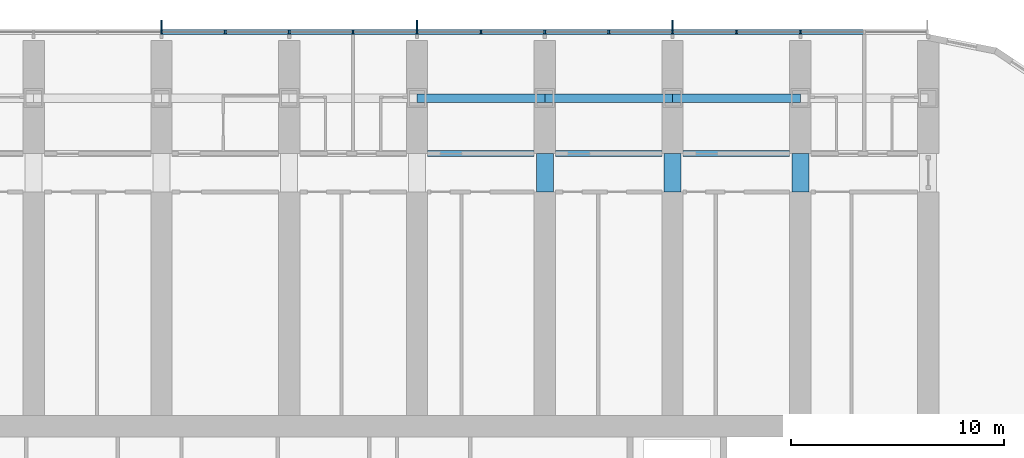
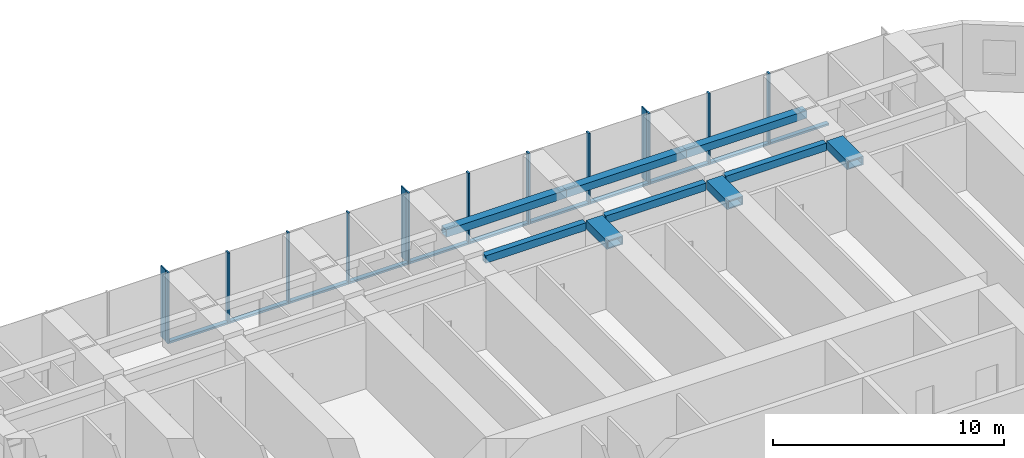
# One storey, part 5 of 23: 25 members, 9 beams, 1 element without a shape of its own.
"""IFC4 building model written with IfcOpenShell, lengths in metres."""

from ifc_helpers import new_model, si_unit, direction, frame, origin, origin_2d, place, context, subcontext, project, spatial, rectangle, hollow_rectangle, extrude, material, material_profile, profile_set, type_object, element, aggregate, save


model = new_model("IFC4")

# Units and contexts
model_context = context("Model", 3, precision=1e-05, world=origin(), true_north=direction((0.0, 1.0)))
body_context = subcontext(model_context, "Body", "Model", "MODEL_VIEW")
ifc_project = project(units=[si_unit("LENGTHUNIT", "METRE"), si_unit("AREAUNIT", "SQUARE_METRE"), si_unit("VOLUMEUNIT", "CUBIC_METRE"), si_unit("PLANEANGLEUNIT", "RADIAN"), si_unit("MASSUNIT", "GRAM", prefix="KILO")], contexts=[model_context])

# Site, building, storey
site_placement = place(None, origin())
site = spatial("IfcSite", under=ifc_project, at=site_placement, CompositionType="ELEMENT")
building_placement = place(site_placement, origin())
building = spatial("IfcBuilding", under=site, at=building_placement, Name="Orbita Commons", CompositionType="ELEMENT")
storey_placement = place(building_placement, frame((0.0, 0.0, 61.449951171875)))
storey = spatial("IfcBuildingStorey", under=building, at=storey_placement, Name="L15", CompositionType="ELEMENT", Elevation=61.449951171875)

# Curtain wall, members
ifc_material_1 = material(Name="Anodised aluminium frame, pale silver", Category="aluminium")
curtain_wall_type = type_object("IfcCurtainWallType", Name="Unitised curtain wall CW-T, vision and spandrel", PredefinedType="NOTDEFINED", material=ifc_material_1)
curtain_wall_placement = place(storey_placement, origin())
curtain_wall = element("IfcCurtainWall", 1, at=curtain_wall_placement, inside=storey, type_object=curtain_wall_type, Name="Curtain wall north L15", PredefinedType="NOTDEFINED")
ifc_material_2 = material(Name="Anodised aluminium, pale silver", Category="aluminium")
ifc_material_profile_1 = material_profile(ifc_material_2, rectangle(XDim=0.080078125, YDim=0.219970703125, at=origin_2d()), Name="AL 80x220")
ifc_profile_set_1 = profile_set([ifc_material_profile_1], Name="Anodised aluminium, pale silver")
member_type_1 = type_object("IfcMemberType", Name="Curtain wall mullion 80x220", PredefinedType="MULLION", material=ifc_profile_set_1)
member_1_placement = place(storey_placement, frame((66.0, 56.7099609375, -0.25), z_axis=(0.0, 0.0, 1.0), x_axis=(-1.0, 0.0, 0.0)))
member_1 = element("IfcMember", 2, at=member_1_placement, type_object=member_type_1, Name="Mullion 3 CW-L15-N", PredefinedType="MULLION", context=body_context, shape_type="SweptSolid", body=[
    extrude(rectangle(XDim=0.080078125, YDim=0.219970703125, at=origin_2d()), origin(), (0.0, 0.0, 1.0), 3.75),
])
member_2_placement = place(storey_placement, frame((63.0, 56.7099609375, -0.25), z_axis=(0.0, 0.0, 1.0), x_axis=(-1.0, 0.0, 0.0)))
member_2 = element("IfcMember", 3, at=member_2_placement, type_object=member_type_1, Name="Mullion 4 CW-L15-N", PredefinedType="MULLION", context=body_context, shape_type="SweptSolid", body=[
    extrude(rectangle(XDim=0.080078125, YDim=0.219970703125, at=origin_2d()), origin(), (0.0, 0.0, 1.0), 3.75),
])
member_3_placement = place(storey_placement, frame((60.0, 56.7099609375, -0.25), z_axis=(0.0, 0.0, 1.0), x_axis=(-1.0, 0.0, 0.0)))
member_3 = element("IfcMember", 4, at=member_3_placement, type_object=member_type_1, Name="Mullion 5 CW-L15-N", PredefinedType="MULLION", context=body_context, shape_type="SweptSolid", body=[
    extrude(rectangle(XDim=0.080078125, YDim=0.219970703125, at=origin_2d()), origin(), (0.0, 0.0, 1.0), 3.75),
])
member_4_placement = place(storey_placement, frame((57.0, 56.7099609375, -0.25), z_axis=(0.0, 0.0, 1.0), x_axis=(-1.0, 0.0, 0.0)))
member_4 = element("IfcMember", 5, at=member_4_placement, type_object=member_type_1, Name="Mullion 6 CW-L15-N", PredefinedType="MULLION", context=body_context, shape_type="SweptSolid", body=[
    extrude(rectangle(XDim=0.080078125, YDim=0.219970703125, at=origin_2d()), origin(), (0.0, 0.0, 1.0), 3.75),
])
member_5_placement = place(storey_placement, frame((54.0, 56.7099609375, -0.25), z_axis=(0.0, 0.0, 1.0), x_axis=(-1.0, 0.0, 0.0)))
member_5 = element("IfcMember", 6, at=member_5_placement, type_object=member_type_1, Name="Mullion 7 CW-L15-N", PredefinedType="MULLION", context=body_context, shape_type="SweptSolid", body=[
    extrude(rectangle(XDim=0.080078125, YDim=0.219970703125, at=origin_2d()), origin(), (0.0, 0.0, 1.0), 3.75),
])
member_6_placement = place(storey_placement, frame((51.0, 56.7099609375, -0.25), z_axis=(0.0, 0.0, 1.0), x_axis=(-1.0, 0.0, 0.0)))
member_6 = element("IfcMember", 7, at=member_6_placement, type_object=member_type_1, Name="Mullion 8 CW-L15-N", PredefinedType="MULLION", context=body_context, shape_type="SweptSolid", body=[
    extrude(rectangle(XDim=0.080078125, YDim=0.219970703125, at=origin_2d()), origin(), (0.0, 0.0, 1.0), 3.75),
])
member_7_placement = place(storey_placement, frame((48.0, 56.7099609375, -0.25), z_axis=(0.0, 0.0, 1.0), x_axis=(-1.0, 0.0, 0.0)))
member_7 = element("IfcMember", 8, at=member_7_placement, type_object=member_type_1, Name="Mullion 9 CW-L15-N", PredefinedType="MULLION", context=body_context, shape_type="SweptSolid", body=[
    extrude(rectangle(XDim=0.080078125, YDim=0.219970703125, at=origin_2d()), origin(), (0.0, 0.0, 1.0), 3.75),
])
member_8_placement = place(storey_placement, frame((45.0, 56.7099609375, -0.25), z_axis=(0.0, 0.0, 1.0), x_axis=(-1.0, 0.0, 0.0)))
member_8 = element("IfcMember", 9, at=member_8_placement, type_object=member_type_1, Name="Mullion 10 CW-L15-N", PredefinedType="MULLION", context=body_context, shape_type="SweptSolid", body=[
    extrude(rectangle(XDim=0.080078125, YDim=0.219970703125, at=origin_2d()), origin(), (0.0, 0.0, 1.0), 3.75),
])
member_9_placement = place(storey_placement, frame((42.0, 56.7099609375, -0.25), z_axis=(0.0, 0.0, 1.0), x_axis=(-1.0, 0.0, 0.0)))
member_9 = element("IfcMember", 10, at=member_9_placement, type_object=member_type_1, Name="Mullion 11 CW-L15-N", PredefinedType="MULLION", context=body_context, shape_type="SweptSolid", body=[
    extrude(rectangle(XDim=0.080078125, YDim=0.219970703125, at=origin_2d()), origin(), (0.0, 0.0, 1.0), 3.75),
])
member_10_placement = place(storey_placement, frame((39.0, 56.7099609375, -0.25), z_axis=(0.0, 0.0, 1.0), x_axis=(-1.0, 0.0, 0.0)))
member_10 = element("IfcMember", 11, at=member_10_placement, type_object=member_type_1, Name="Mullion 12 CW-L15-N", PredefinedType="MULLION", context=body_context, shape_type="SweptSolid", body=[
    extrude(rectangle(XDim=0.080078125, YDim=0.219970703125, at=origin_2d()), origin(), (0.0, 0.0, 1.0), 3.75),
])
member_11_placement = place(storey_placement, frame((36.0, 56.7099609375, -0.25), z_axis=(0.0, 0.0, 1.0), x_axis=(-1.0, 0.0, 0.0)))
member_11 = element("IfcMember", 12, at=member_11_placement, type_object=member_type_1, Name="Mullion 13 CW-L15-N", PredefinedType="MULLION", context=body_context, shape_type="SweptSolid", body=[
    extrude(rectangle(XDim=0.080078125, YDim=0.219970703125, at=origin_2d()), origin(), (0.0, 0.0, 1.0), 3.75),
])
ifc_material_3 = material(Name="Anodised aluminium, pale silver", Category="aluminium")
ifc_material_profile_2 = material_profile(ifc_material_3, rectangle(XDim=0.219970703125, YDim=0.10009765625, at=origin_2d()), Name="AL 220x100")
ifc_profile_set_2 = profile_set([ifc_material_profile_2], Name="Anodised aluminium, pale silver")
member_type_2 = type_object("IfcMemberType", Name="Curtain wall stack transom 220x100", PredefinedType="USERDEFINED", material=ifc_profile_set_2)
member_12_placement = place(storey_placement, frame((68.9599609375, 56.7099609375, -0.199951171875), z_axis=(-1.0, 0.0, 0.0), x_axis=(0.0, -1.0, 0.0)))
member_12 = element("IfcMember", 13, at=member_12_placement, type_object=member_type_2, Name="Transom 2.1 CW-L15-N", ObjectType="TRANSOM", PredefinedType="USERDEFINED", context=body_context, shape_type="SweptSolid", body=[
    extrude(rectangle(XDim=0.219970703125, YDim=0.10009765625, at=origin_2d()), origin(), (0.0, 0.0, 1.0), 2.919921875),
])
member_13_placement = place(storey_placement, frame((65.9599609375, 56.7099609375, -0.199951171875), z_axis=(-1.0, 0.0, 0.0), x_axis=(0.0, -1.0, 0.0)))
member_13 = element("IfcMember", 14, at=member_13_placement, type_object=member_type_2, Name="Transom 3.1 CW-L15-N", ObjectType="TRANSOM", PredefinedType="USERDEFINED", context=body_context, shape_type="SweptSolid", body=[
    extrude(rectangle(XDim=0.219970703125, YDim=0.10009765625, at=origin_2d()), origin(), (0.0, 0.0, 1.0), 2.919921875),
])
member_14_placement = place(storey_placement, frame((62.9599609375, 56.7099609375, -0.199951171875), z_axis=(-1.0, 0.0, 0.0), x_axis=(0.0, -1.0, 0.0)))
member_14 = element("IfcMember", 15, at=member_14_placement, type_object=member_type_2, Name="Transom 4.1 CW-L15-N", ObjectType="TRANSOM", PredefinedType="USERDEFINED", context=body_context, shape_type="SweptSolid", body=[
    extrude(rectangle(XDim=0.219970703125, YDim=0.10009765625, at=origin_2d()), origin(), (0.0, 0.0, 1.0), 2.919921875),
])
member_15_placement = place(storey_placement, frame((59.9599609375, 56.7099609375, -0.199951171875), z_axis=(-1.0, 0.0, 0.0), x_axis=(0.0, -1.0, 0.0)))
member_15 = element("IfcMember", 16, at=member_15_placement, type_object=member_type_2, Name="Transom 5.1 CW-L15-N", ObjectType="TRANSOM", PredefinedType="USERDEFINED", context=body_context, shape_type="SweptSolid", body=[
    extrude(rectangle(XDim=0.219970703125, YDim=0.10009765625, at=origin_2d()), origin(), (0.0, 0.0, 1.0), 2.919921875),
])
member_16_placement = place(storey_placement, frame((56.9599609375, 56.7099609375, -0.199951171875), z_axis=(-1.0, 0.0, 0.0), x_axis=(0.0, -1.0, 0.0)))
member_16 = element("IfcMember", 17, at=member_16_placement, type_object=member_type_2, Name="Transom 6.1 CW-L15-N", ObjectType="TRANSOM", PredefinedType="USERDEFINED", context=body_context, shape_type="SweptSolid", body=[
    extrude(rectangle(XDim=0.219970703125, YDim=0.10009765625, at=origin_2d()), origin(), (0.0, 0.0, 1.0), 2.919921875),
])
member_17_placement = place(storey_placement, frame((53.9599609375, 56.7099609375, -0.199951171875), z_axis=(-1.0, 0.0, 0.0), x_axis=(0.0, -1.0, 0.0)))
member_17 = element("IfcMember", 18, at=member_17_placement, type_object=member_type_2, Name="Transom 7.1 CW-L15-N", ObjectType="TRANSOM", PredefinedType="USERDEFINED", context=body_context, shape_type="SweptSolid", body=[
    extrude(rectangle(XDim=0.219970703125, YDim=0.10009765625, at=origin_2d()), origin(), (0.0, 0.0, 1.0), 2.919921875),
])
member_18_placement = place(storey_placement, frame((50.9599609375, 56.7099609375, -0.199951171875), z_axis=(-1.0, 0.0, 0.0), x_axis=(0.0, -1.0, 0.0)))
member_18 = element("IfcMember", 19, at=member_18_placement, type_object=member_type_2, Name="Transom 8.1 CW-L15-N", ObjectType="TRANSOM", PredefinedType="USERDEFINED", context=body_context, shape_type="SweptSolid", body=[
    extrude(rectangle(XDim=0.219970703125, YDim=0.10009765625, at=origin_2d()), origin(), (0.0, 0.0, 1.0), 2.919921875),
])
member_19_placement = place(storey_placement, frame((47.9599609375, 56.7099609375, -0.199951171875), z_axis=(-1.0, 0.0, 0.0), x_axis=(0.0, -1.0, 0.0)))
member_19 = element("IfcMember", 20, at=member_19_placement, type_object=member_type_2, Name="Transom 9.1 CW-L15-N", ObjectType="TRANSOM", PredefinedType="USERDEFINED", context=body_context, shape_type="SweptSolid", body=[
    extrude(rectangle(XDim=0.219970703125, YDim=0.10009765625, at=origin_2d()), origin(), (0.0, 0.0, 1.0), 2.919921875),
])
member_20_placement = place(storey_placement, frame((44.9599609375, 56.7099609375, -0.199951171875), z_axis=(-1.0, 0.0, 0.0), x_axis=(0.0, -1.0, 0.0)))
member_20 = element("IfcMember", 21, at=member_20_placement, type_object=member_type_2, Name="Transom 10.1 CW-L15-N", ObjectType="TRANSOM", PredefinedType="USERDEFINED", context=body_context, shape_type="SweptSolid", body=[
    extrude(rectangle(XDim=0.219970703125, YDim=0.10009765625, at=origin_2d()), origin(), (0.0, 0.0, 1.0), 2.919921875),
])
member_21_placement = place(storey_placement, frame((41.9599609375, 56.7099609375, -0.199951171875), z_axis=(-1.0, 0.0, 0.0), x_axis=(0.0, -1.0, 0.0)))
member_21 = element("IfcMember", 22, at=member_21_placement, type_object=member_type_2, Name="Transom 11.1 CW-L15-N", ObjectType="TRANSOM", PredefinedType="USERDEFINED", context=body_context, shape_type="SweptSolid", body=[
    extrude(rectangle(XDim=0.219970703125, YDim=0.10009765625, at=origin_2d()), origin(), (0.0, 0.0, 1.0), 2.919921875),
])
member_22_placement = place(storey_placement, frame((38.9599609375, 56.7099609375, -0.199951171875), z_axis=(-1.0, 0.0, 0.0), x_axis=(0.0, -1.0, 0.0)))
member_22 = element("IfcMember", 23, at=member_22_placement, type_object=member_type_2, Name="Transom 12.1 CW-L15-N", ObjectType="TRANSOM", PredefinedType="USERDEFINED", context=body_context, shape_type="SweptSolid", body=[
    extrude(rectangle(XDim=0.219970703125, YDim=0.10009765625, at=origin_2d()), origin(), (0.0, 0.0, 1.0), 2.919921875),
])

# Beams
ifc_material_4 = material(Name="Steel ASTM A572 Gr 50 welded plate", Category="steel")
ifc_material_profile_3 = material_profile(ifc_material_4, hollow_rectangle(XDim=0.300048828125, YDim=0.39990234375, WallThickness=0.0400390625, at=origin_2d()), Name="BOX 400x300x40")
ifc_profile_set_3 = profile_set([ifc_material_profile_3], Name="Steel ASTM A572 Gr 50 welded plate")
beam_type_1 = type_object("IfcBeamType", Name="Steel corridor link BOX 400x300x40", PredefinedType="BEAM", material=ifc_profile_set_3)
for number, where, z_axis, x_axis, name in (
    (24, (48.5, 51.0, 3.300048828125), (1.0, 0.0, 0.0), (0.0, 1.0, 0.0), "Corridor beam NB 9-10 L15"),
    (25, (54.5, 51.0, 3.300048828125), (1.0, 0.0, 0.0), (0.0, 1.0, 0.0), "Corridor beam NB 10-11 L15"),
    (26, (60.5, 51.0, 3.300048828125), (1.0, 0.0, 0.0), (0.0, 1.0, 0.0), "Corridor beam NB 11-12 L15"),
):
    element("IfcBeam", number, at=place(storey_placement, frame(where, z_axis=z_axis, x_axis=x_axis)), inside=storey, type_object=beam_type_1, Name=name, PredefinedType="BEAM", context=body_context, shape_type="SweptSolid", body=[
        extrude(hollow_rectangle(XDim=0.300048828125, YDim=0.39990234375, WallThickness=0.0400390625, at=origin_2d()), origin(), (0.0, 0.0, 1.0), 5.0),
    ])
ifc_material_5 = material(Name="Steel ASTM A572 Gr 50 welded plate", Category="steel")
ifc_material_profile_4 = material_profile(ifc_material_5, hollow_rectangle(XDim=0.800048828125, YDim=0.449951171875, WallThickness=0.06005859375, at=origin_2d()), Name="BOX 450x800x60")
ifc_profile_set_4 = profile_set([ifc_material_profile_4], Name="Steel ASTM A572 Gr 50 welded plate")
beam_type_2 = type_object("IfcBeamType", Name="Steel coupling link BOX 450x800x60", PredefinedType="LINTEL", material=ifc_profile_set_4)
for number, where, z_axis, x_axis, name in (
    (27, (54.0, 49.199951171875, 3.275146484375), (0.0, 1.0, 0.0), (-1.0, 0.0, 0.0), "Coupling beam 10 north L15"),
    (28, (60.0, 49.199951171875, 3.275146484375), (0.0, 1.0, 0.0), (-1.0, 0.0, 0.0), "Coupling beam 11 north L15"),
    (29, (66.0, 49.199951171875, 3.275146484375), (0.0, 1.0, 0.0), (-1.0, 0.0, 0.0), "Coupling beam 12 north L15"),
):
    element("IfcBeam", number, at=place(storey_placement, frame(where, z_axis=z_axis, x_axis=x_axis)), inside=storey, type_object=beam_type_2, Name=name, PredefinedType="LINTEL", context=body_context, shape_type="SweptSolid", body=[
        extrude(hollow_rectangle(XDim=0.800048828125, YDim=0.449951171875, WallThickness=0.06005859375, at=origin_2d()), origin(), (0.0, 0.0, 1.0), 1.800048828125),
    ])
ifc_material_6 = material(Name="Steel ASTM A572 Gr 50 welded plate", Category="steel")
ifc_material_profile_5 = material_profile(ifc_material_6, hollow_rectangle(XDim=0.39990234375, YDim=0.39990234375, WallThickness=0.0400390625, at=origin_2d()), Name="BOX 400x400x40")
ifc_profile_set_5 = profile_set([ifc_material_profile_5], Name="Steel ASTM A572 Gr 50 welded plate")
beam_type_3 = type_object("IfcBeamType", Name="Steel spandrel BOX 400x400x40", PredefinedType="SPANDREL", material=ifc_profile_set_5)
for number, where, z_axis, x_axis, name in (
    (30, (48.0, 53.60009765625, 3.300048828125), (1.0, 0.0, 0.0), (0.0, 1.0, 0.0), "Spandrel beam E 9-10 L15"),
    (31, (54.0, 53.60009765625, 3.300048828125), (1.0, 0.0, 0.0), (0.0, 1.0, 0.0), "Spandrel beam E 10-11 L15"),
    (32, (60.0, 53.60009765625, 3.300048828125), (1.0, 0.0, 0.0), (0.0, 1.0, 0.0), "Spandrel beam E 11-12 L15"),
):
    element("IfcBeam", number, at=place(storey_placement, frame(where, z_axis=z_axis, x_axis=x_axis)), inside=storey, type_object=beam_type_3, Name=name, PredefinedType="SPANDREL", context=body_context, shape_type="SweptSolid", body=[
        extrude(hollow_rectangle(XDim=0.39990234375, YDim=0.39990234375, WallThickness=0.0400390625, at=origin_2d()), origin(), (0.0, 0.0, 1.0), 6.0),
    ])

# Member
ifc_material_7 = material(Name="Anodised aluminium, pale silver", Category="aluminium")
ifc_material_profile_6 = material_profile(ifc_material_7, rectangle(XDim=0.06005859375, YDim=0.449951171875, at=origin_2d()), Name="FIN 60x450")
ifc_profile_set_6 = profile_set([ifc_material_profile_6], Name="Anodised aluminium, pale silver")
member_type_3 = type_object("IfcMemberType", Name="Vertical fin 60x450 pale aluminium", PredefinedType="USERDEFINED", material=ifc_profile_set_6)
member_23_placement = place(storey_placement, frame((60.0, 57.044921875, -0.25), z_axis=(0.0, 0.0, 1.0), x_axis=(-1.0, 0.0, 0.0)))
member_23 = element("IfcMember", 33, at=member_23_placement, type_object=member_type_3, Name="Fin 5 CW-L15-N", ObjectType="FIN", PredefinedType="USERDEFINED", context=body_context, shape_type="SweptSolid", body=[
    extrude(rectangle(XDim=0.06005859375, YDim=0.449951171875, at=origin_2d()), origin(), (0.0, 0.0, 1.0), 3.75),
])

member_24_placement = place(storey_placement, frame((48.0, 57.044921875, -0.25), z_axis=(0.0, 0.0, 1.0), x_axis=(-1.0, 0.0, 0.0)))
member_24 = element("IfcMember", 34, at=member_24_placement, type_object=member_type_3, Name="Fin 9 CW-L15-N", ObjectType="FIN", PredefinedType="USERDEFINED", context=body_context, shape_type="SweptSolid", body=[
    extrude(rectangle(XDim=0.06005859375, YDim=0.449951171875, at=origin_2d()), origin(), (0.0, 0.0, 1.0), 3.75),
])

member_25_placement = place(storey_placement, frame((36.0, 57.044921875, -0.25), z_axis=(0.0, 0.0, 1.0), x_axis=(-1.0, 0.0, 0.0)))
member_25 = element("IfcMember", 35, at=member_25_placement, type_object=member_type_3, Name="Fin 13 CW-L15-N", ObjectType="FIN", PredefinedType="USERDEFINED", context=body_context, shape_type="SweptSolid", body=[
    extrude(rectangle(XDim=0.06005859375, YDim=0.449951171875, at=origin_2d()), origin(), (0.0, 0.0, 1.0), 3.75),
])

aggregate(curtain_wall, [member_1, member_2, member_3, member_23, member_4, member_5, member_6, member_7, member_24, member_8, member_9, member_10, member_11, member_25, member_12, member_13, member_14, member_15, member_16, member_17, member_18, member_19, member_20, member_21, member_22])

save(model, "model.ifc")
